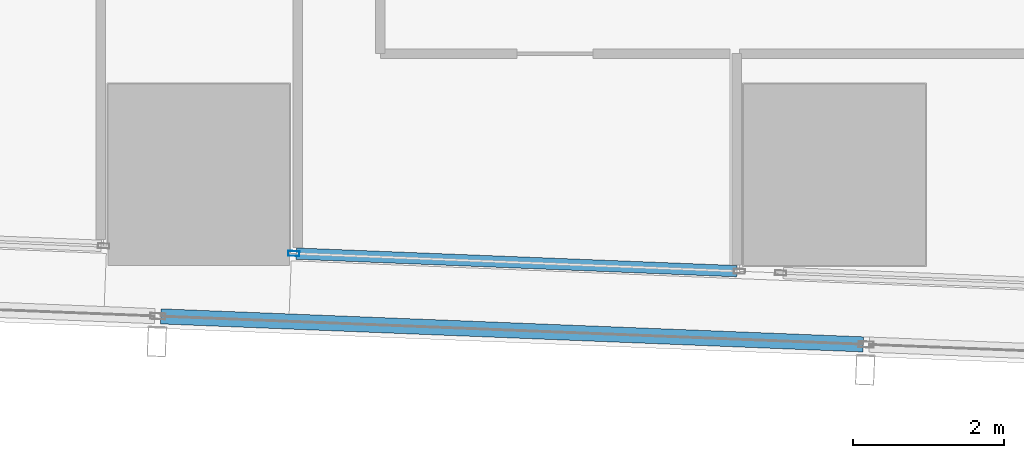
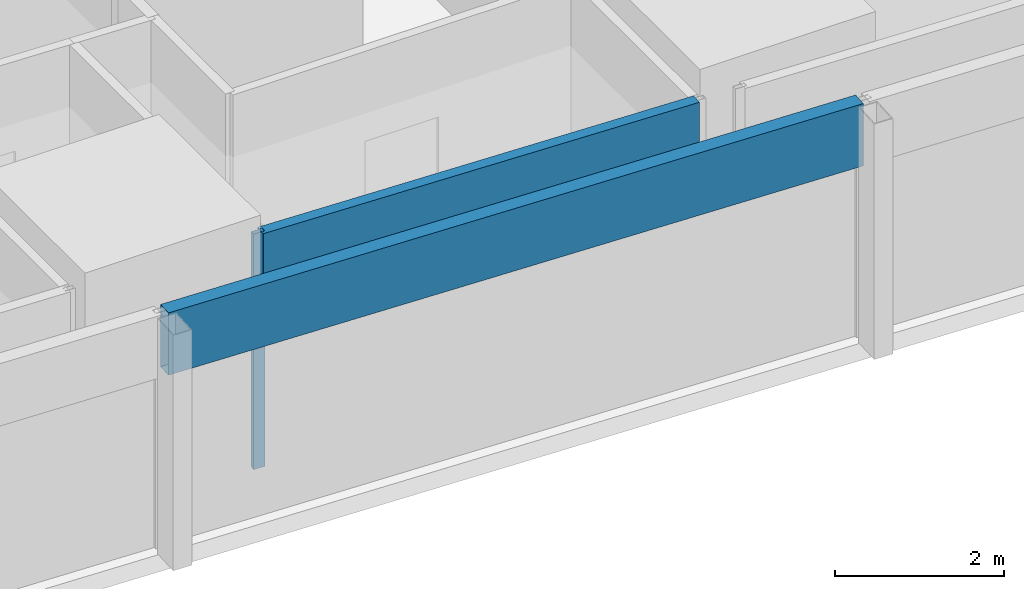
# One storey, part 3 of 34: 3 members, 2 elements without a shape of their own.
"""IFC4 building model written with IfcOpenShell, lengths in metres."""

from ifc_helpers import new_model, si_unit, direction, frame, origin, origin_2d, place, context, subcontext, project, spatial, hollow_rectangle, extrude, material, material_profile, profile_set, type_object, element, aggregate, save


model = new_model("IFC4")

# Units and contexts
model_context = context("Model", 3, precision=1e-05, world=origin(), true_north=direction((0.0, 1.0)))
body_context = subcontext(model_context, "Body", "Model", "MODEL_VIEW")
ifc_project = project(units=[si_unit("LENGTHUNIT", "METRE"), si_unit("AREAUNIT", "SQUARE_METRE"), si_unit("VOLUMEUNIT", "CUBIC_METRE"), si_unit("PLANEANGLEUNIT", "RADIAN"), si_unit("MASSUNIT", "GRAM", prefix="KILO")], contexts=[model_context])

# Site, building, storey
site_placement = place(None, origin())
site = spatial("IfcSite", under=ifc_project, at=site_placement, CompositionType="ELEMENT")
building_placement = place(site_placement, origin())
building = spatial("IfcBuilding", under=site, at=building_placement, Name="Rekha Terrace Tower", CompositionType="ELEMENT")
storey_placement = place(building_placement, frame((0.0, 0.0, 236.449951171875)))
storey = spatial("IfcBuildingStorey", under=building, at=storey_placement, Name="L60", CompositionType="ELEMENT", Elevation=236.449951171875)

# Curtain wall, members
ifc_material_1 = material(Name="Aluminium framing", Category="aluminium")
curtain_wall_type_1 = type_object("IfcCurtainWallType", Name="CW1 double skin inner glazing", PredefinedType="USERDEFINED", material=ifc_material_1)
curtain_wall_1_placement = place(storey_placement, origin())
curtain_wall_1 = element("IfcCurtainWall", 1, at=curtain_wall_1_placement, inside=storey, type_object=curtain_wall_type_1, Name="CW1 double skin inner glazing", ObjectType="DOUBLE SKIN INNER GLAZING", PredefinedType="USERDEFINED")
ifc_material_2 = material(Name="Aluminium mullion section", Category="aluminium")
ifc_material_profile_1 = material_profile(ifc_material_2, hollow_rectangle(XDim=0.06494140625, YDim=0.14990234375, WallThickness=0.00390625, at=origin_2d()), Name="AL RHS 65x150")
ifc_profile_set_1 = profile_set([ifc_material_profile_1], Name="Aluminium mullion section")
member_type_1 = type_object("IfcMemberType", Name="CW1 mullion RHS 65 x 150", PredefinedType="MULLION", material=ifc_profile_set_1)
member_1_placement = place(storey_placement, frame((18.05615234375, 15.759765625, 0.0), z_axis=(0.0, 0.0, 1.0), x_axis=(0.039872497078, 0.999204775798, 0.0)))
member_1 = element("IfcMember", 2, at=member_1_placement, type_object=member_type_1, Name="CW1 mullion 1", PredefinedType="MULLION", context=body_context, shape_type="SweptSolid", body=[
    extrude(hollow_rectangle(XDim=0.06494140625, YDim=0.14990234375, WallThickness=0.00390625, at=origin_2d()), origin(), (0.0, 0.0, 1.0), 3.400146484375),
])
ifc_material_3 = material(Name="Insulated aluminium spandrel box", Category="aluminium")
ifc_material_profile_2 = material_profile(ifc_material_3, hollow_rectangle(XDim=0.14990234375, YDim=0.89990234375, WallThickness=0.0029296875, at=origin_2d()), Name="AL SPANDREL BOX 150x900")
ifc_profile_set_2 = profile_set([ifc_material_profile_2], Name="Insulated aluminium spandrel box")
member_type_2 = type_object("IfcMemberType", Name="CW1 spandrel transom 150 x 900", PredefinedType="USERDEFINED", material=ifc_profile_set_2)
member_2_placement = place(storey_placement, frame((18.088623046875, 15.75830078125, 2.949951171875), z_axis=(0.999205970263, -0.039842552525, 0.0), x_axis=(0.039842552525, 0.999205970263, 0.0)))
member_2 = element("IfcMember", 3, at=member_2_placement, type_object=member_type_2, Name="CW1 spandrel transom 1", ObjectType="TRANSOM", PredefinedType="USERDEFINED", context=body_context, shape_type="SweptSolid", body=[
    extrude(hollow_rectangle(XDim=0.14990234375, YDim=0.89990234375, WallThickness=0.0029296875, at=origin_2d()), origin(), (0.0, 0.0, 1.0), 5.827392578125),
])
aggregate(curtain_wall_1, [member_1, member_2])

# Curtain wall, member
curtain_wall_type_2 = type_object("IfcCurtainWallType", Name="CW2 double skin outer glazing", PredefinedType="USERDEFINED", material=ifc_material_1)
curtain_wall_2_placement = place(storey_placement, origin())
curtain_wall_2 = element("IfcCurtainWall", 4, at=curtain_wall_2_placement, inside=storey, type_object=curtain_wall_type_2, Name="CW2 double skin outer glazing", ObjectType="DOUBLE SKIN OUTER GLAZING", PredefinedType="USERDEFINED")
ifc_material_profile_3 = material_profile(ifc_material_3, hollow_rectangle(XDim=0.199951171875, YDim=0.89990234375, WallThickness=0.0029296875, at=origin_2d()), Name="AL SPANDREL BOX 200x900")
ifc_profile_set_3 = profile_set([ifc_material_profile_3], Name="Insulated aluminium spandrel box")
member_type_3 = type_object("IfcMemberType", Name="CW2 spandrel transom 200 x 900", PredefinedType="USERDEFINED", material=ifc_profile_set_3)
member_3_placement = place(storey_placement, frame((16.2998046875, 14.928955078125, 2.949951171875), z_axis=(0.999205404308, -0.039856743486, 0.0), x_axis=(0.039856743486, 0.999205404308, 0.0)))
member_3 = element("IfcMember", 5, at=member_3_placement, type_object=member_type_3, Name="CW2 spandrel transom 2", ObjectType="TRANSOM", PredefinedType="USERDEFINED", context=body_context, shape_type="SweptSolid", body=[
    extrude(hollow_rectangle(XDim=0.199951171875, YDim=0.89990234375, WallThickness=0.0029296875, at=origin_2d()), origin(), (0.0, 0.0, 1.0), 9.2861328125),
])
aggregate(curtain_wall_2, [member_3])

save(model, "model.ifc")
